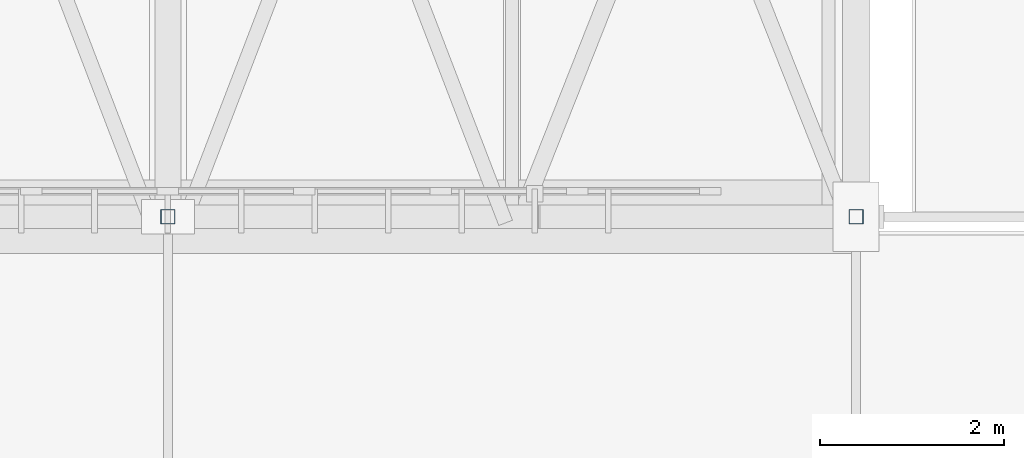
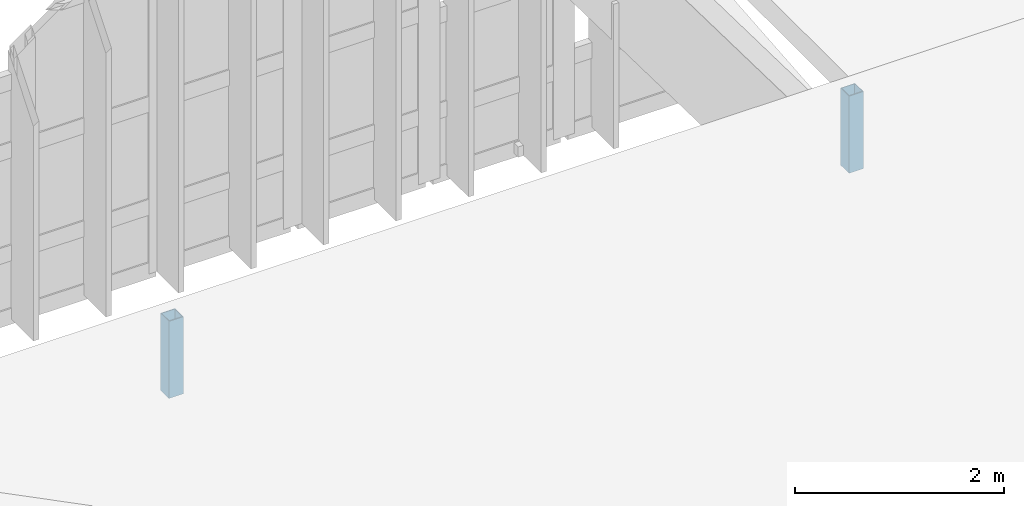
# One storey, part 18 of 93: 2 columns.
"""IFC4 building model written with IfcOpenShell, lengths in metres."""

from ifc_helpers import new_model, si_unit, direction, frame, origin, origin_2d, place, context, subcontext, project, spatial, hollow_rectangle, extrude, material, material_profile, profile_set, type_object, element, save


model = new_model("IFC4")

# Units and contexts
model_context = context("Model", 3, precision=1e-05, world=origin(), true_north=direction((0.0, 1.0)))
body_context = subcontext(model_context, "Body", "Model", "MODEL_VIEW")
ifc_project = project(units=[si_unit("LENGTHUNIT", "METRE"), si_unit("AREAUNIT", "SQUARE_METRE"), si_unit("VOLUMEUNIT", "CUBIC_METRE"), si_unit("PLANEANGLEUNIT", "RADIAN"), si_unit("MASSUNIT", "GRAM", prefix="KILO")], contexts=[model_context])

# Site, building, storey
site_placement = place(None, origin())
site = spatial("IfcSite", under=ifc_project, at=site_placement, CompositionType="ELEMENT")
building_placement = place(site_placement, origin())
building = spatial("IfcBuilding", under=site, at=building_placement, Name="Vourika Railside Aquatics Centre", CompositionType="ELEMENT")
storey_placement = place(building_placement, frame((0.0, 0.0, 21.89990234375)))
storey = spatial("IfcBuildingStorey", under=building, at=storey_placement, Name="Roof", CompositionType="ELEMENT", Elevation=21.89990234375)

# Columns
ifc_material = material(Name="Steel S355J2", Category="steel")
ifc_material_profile = material_profile(ifc_material, hollow_rectangle(XDim=0.159912109375, YDim=0.159912109375, WallThickness=0.008056640625, at=origin_2d()), Name="SHS 160x160x8")
ifc_profile_set = profile_set([ifc_material_profile], Name="Steel S355J2")
column_type = type_object("IfcColumnType", Name="COL-STL-SHS160", PredefinedType="COLUMN", material=ifc_profile_set)
for number, where, z_axis, x_axis, name in (
    (1, (133.5, 12.0, -11.14990234375), (0.0, 0.0, 1.0), (1.0, 0.0, 0.0), "Changing Roof Ridge Post (133.5,12.0)"),
    (2, (141.0, 12.0, -11.14990234375), (0.0, 0.0, 1.0), (1.0, 0.0, 0.0), "Changing Roof Ridge Post (141.0,12.0)"),
):
    element("IfcColumn", number, at=place(storey_placement, frame(where, z_axis=z_axis, x_axis=x_axis)), inside=storey, type_object=column_type, Name=name, PredefinedType="COLUMN", context=body_context, shape_type="SweptSolid", body=[
        extrude(hollow_rectangle(XDim=0.159912109375, YDim=0.159912109375, WallThickness=0.008056640625, at=origin_2d()), origin(), (0.0, 0.0, 1.0), 0.89990234375),
    ])

save(model, "model.ifc")
